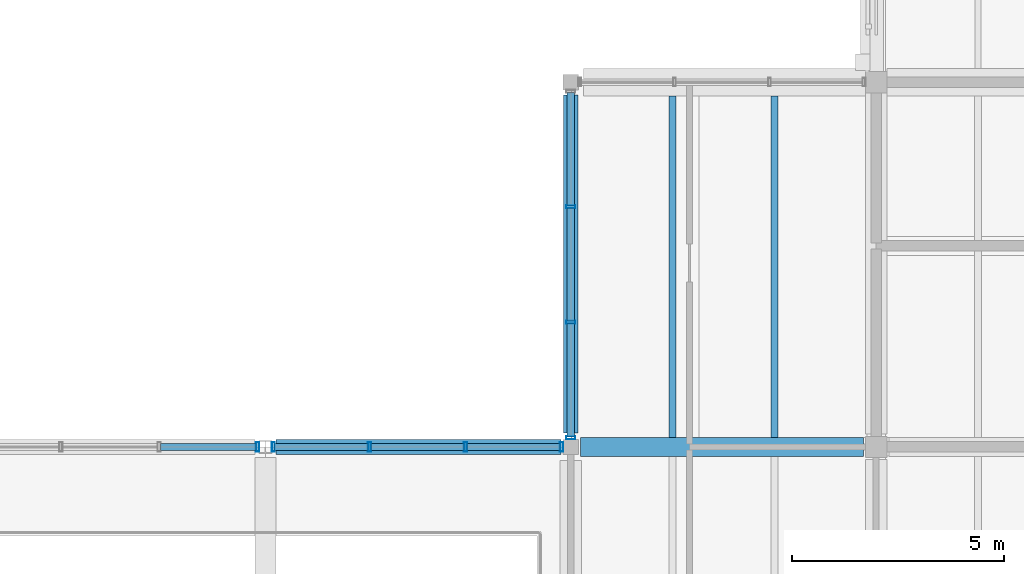
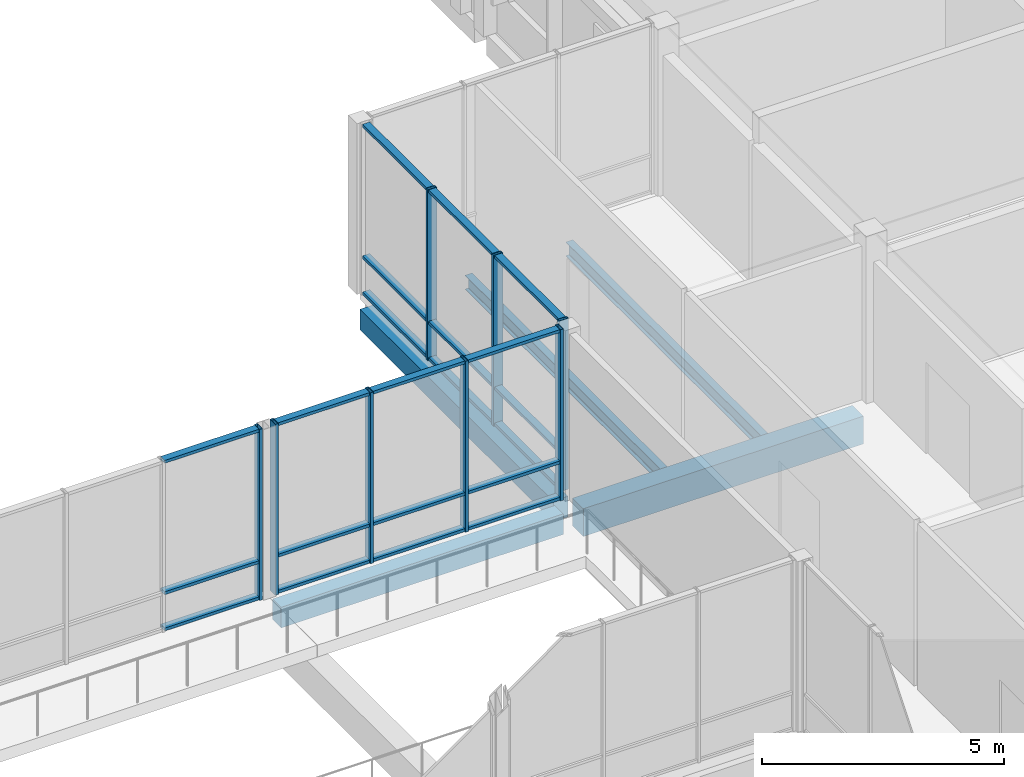
# One storey, part 79 of 146: 29 members, 5 beams, 3 elements without a shape of their own.
"""IFC4 building model written with IfcOpenShell, lengths in metres."""

from ifc_helpers import new_model, si_unit, direction, frame, origin, origin_2d, place, context, subcontext, project, spatial, rectangle, hollow_rectangle, i_section, extrude, material, material_profile, profile_set, type_object, element, aggregate, save


model = new_model("IFC4")

# Units and contexts
model_context = context("Model", 3, precision=1e-05, world=origin(), true_north=direction((0.0, 1.0)))
body_context = subcontext(model_context, "Body", "Model", "MODEL_VIEW")
ifc_project = project(units=[si_unit("LENGTHUNIT", "METRE"), si_unit("AREAUNIT", "SQUARE_METRE"), si_unit("VOLUMEUNIT", "CUBIC_METRE"), si_unit("PLANEANGLEUNIT", "RADIAN"), si_unit("MASSUNIT", "GRAM", prefix="KILO")], contexts=[model_context])

# Site, building, storey
site_placement = place(None, origin())
site = spatial("IfcSite", under=ifc_project, at=site_placement, CompositionType="ELEMENT")
building_placement = place(site_placement, origin())
building = spatial("IfcBuilding", under=site, at=building_placement, Name="Hawrajan Terrace Health Centre", CompositionType="ELEMENT")
storey_placement = place(building_placement, frame((0.0, 0.0, 4.5)))
storey = spatial("IfcBuildingStorey", under=building, at=storey_placement, Name="L01", CompositionType="ELEMENT", Elevation=4.5)

# Curtain wall, member
ifc_material_1 = material(Name="Anodized bronze aluminium and low-E solar glazing", Category="aluminium")
curtain_wall_type_1 = type_object("IfcCurtainWallType", Name="CW_Court_SeriesA2", PredefinedType="USERDEFINED", material=ifc_material_1)
curtain_wall_1_placement = place(storey_placement, origin())
curtain_wall_1 = element("IfcCurtainWall", 1, at=curtain_wall_1_placement, inside=storey, type_object=curtain_wall_type_1, Name="Curtain wall CW-L01-098", ObjectType="UNITISED CURTAIN WALL", PredefinedType="USERDEFINED")
ifc_material_2 = material(Name="Anodized bronze aluminium 6063-T6", Category="aluminium")
ifc_material_profile_1 = material_profile(ifc_material_2, hollow_rectangle(XDim=0.074951171875, YDim=0.219970703125, WallThickness=0.0048828125, at=origin_2d()), Name="CW MUL 75x220")
ifc_profile_set_1 = profile_set([ifc_material_profile_1], Name="Anodized bronze aluminium 6063-T6")
member_type_1 = type_object("IfcMemberType", Name="CWMullion_75x220", PredefinedType="MULLION", material=ifc_profile_set_1)
member_1_placement = place(storey_placement, frame((100.41259765625, 36.800048828125, -0.0048828125), z_axis=(0.0, 0.0, 1.0), x_axis=(1.0, 0.0, 0.0)))
member_1 = element("IfcMember", 2, at=member_1_placement, type_object=member_type_1, Name="Mullion CW-L01-098-M5", PredefinedType="MULLION", context=body_context, shape_type="SweptSolid", body=[
    extrude(hollow_rectangle(XDim=0.074951171875, YDim=0.219970703125, WallThickness=0.0048828125, at=origin_2d()), origin(), (0.0, 0.0, 1.0), 4.309814453125),
])

# Curtain wall, members
curtain_wall_type_2 = type_object("IfcCurtainWallType", Name="CW_Court_SeriesB2", PredefinedType="USERDEFINED", material=ifc_material_1)
curtain_wall_2_placement = place(storey_placement, origin())
curtain_wall_2 = element("IfcCurtainWall", 3, at=curtain_wall_2_placement, inside=storey, type_object=curtain_wall_type_2, Name="Curtain wall CW-L01-101", ObjectType="UNITISED CURTAIN WALL", PredefinedType="USERDEFINED")
member_2_placement = place(storey_placement, frame((100.78759765625, 36.800048828125, -0.0048828125), z_axis=(0.0, 0.0, 1.0), x_axis=(1.0, 0.0, 0.0)))
member_2 = element("IfcMember", 4, at=member_2_placement, type_object=member_type_1, Name="Mullion CW-L01-101-M1", PredefinedType="MULLION", context=body_context, shape_type="SweptSolid", body=[
    extrude(hollow_rectangle(XDim=0.074951171875, YDim=0.219970703125, WallThickness=0.0048828125, at=origin_2d()), origin(), (0.0, 0.0, 1.0), 4.309814453125),
])
member_3_placement = place(storey_placement, frame((103.052490234375, 36.800048828125, -0.0048828125), z_axis=(0.0, 0.0, 1.0), x_axis=(1.0, 0.0, 0.0)))
member_3 = element("IfcMember", 5, at=member_3_placement, type_object=member_type_1, Name="Mullion CW-L01-101-M2", PredefinedType="MULLION", context=body_context, shape_type="SweptSolid", body=[
    extrude(hollow_rectangle(XDim=0.074951171875, YDim=0.219970703125, WallThickness=0.0048828125, at=origin_2d()), origin(), (0.0, 0.0, 1.0), 4.309814453125),
])
member_4_placement = place(storey_placement, frame((105.3173828125, 36.800048828125, -0.0048828125), z_axis=(0.0, 0.0, 1.0), x_axis=(1.0, 0.0, 0.0)))
member_4 = element("IfcMember", 6, at=member_4_placement, type_object=member_type_1, Name="Mullion CW-L01-101-M3", PredefinedType="MULLION", context=body_context, shape_type="SweptSolid", body=[
    extrude(hollow_rectangle(XDim=0.074951171875, YDim=0.219970703125, WallThickness=0.0048828125, at=origin_2d()), origin(), (0.0, 0.0, 1.0), 4.309814453125),
])
member_5_placement = place(storey_placement, frame((107.58251953125, 36.800048828125, -0.0048828125), z_axis=(0.0, 0.0, 1.0), x_axis=(1.0, 0.0, 0.0)))
member_5 = element("IfcMember", 7, at=member_5_placement, type_object=member_type_1, Name="Mullion CW-L01-101-M4", PredefinedType="MULLION", context=body_context, shape_type="SweptSolid", body=[
    extrude(hollow_rectangle(XDim=0.074951171875, YDim=0.219970703125, WallThickness=0.0048828125, at=origin_2d()), origin(), (0.0, 0.0, 1.0), 4.309814453125),
])

curtain_wall_type_3 = type_object("IfcCurtainWallType", Name="CW_CourtNS_SeriesC2", PredefinedType="USERDEFINED", material=ifc_material_1)
curtain_wall_3_placement = place(storey_placement, origin())
curtain_wall_3 = element("IfcCurtainWall", 8, at=curtain_wall_3_placement, inside=storey, type_object=curtain_wall_type_3, Name="Curtain wall CW-L01-104", ObjectType="UNITISED CURTAIN WALL", PredefinedType="USERDEFINED")
member_6_placement = place(storey_placement, frame((107.800048828125, 37.017578125, -0.0048828125), z_axis=(0.0, 0.0, 1.0), x_axis=(0.0, 1.0, 0.0)))
member_6 = element("IfcMember", 9, at=member_6_placement, type_object=member_type_1, Name="Mullion CW-L01-104-M1", PredefinedType="MULLION", context=body_context, shape_type="SweptSolid", body=[
    extrude(hollow_rectangle(XDim=0.074951171875, YDim=0.219970703125, WallThickness=0.0048828125, at=origin_2d()), origin(), (0.0, 0.0, 1.0), 4.309814453125),
])
member_7_placement = place(storey_placement, frame((107.800048828125, 39.7392578125, -0.0048828125), z_axis=(0.0, 0.0, 1.0), x_axis=(0.0, 1.0, 0.0)))
member_7 = element("IfcMember", 10, at=member_7_placement, type_object=member_type_1, Name="Mullion CW-L01-104-M2", PredefinedType="MULLION", context=body_context, shape_type="SweptSolid", body=[
    extrude(hollow_rectangle(XDim=0.074951171875, YDim=0.219970703125, WallThickness=0.0048828125, at=origin_2d()), origin(), (0.0, 0.0, 1.0), 4.309814453125),
])
member_8_placement = place(storey_placement, frame((107.800048828125, 42.460693359375, -0.0048828125), z_axis=(0.0, 0.0, 1.0), x_axis=(0.0, 1.0, 0.0)))
member_8 = element("IfcMember", 11, at=member_8_placement, type_object=member_type_1, Name="Mullion CW-L01-104-M3", PredefinedType="MULLION", context=body_context, shape_type="SweptSolid", body=[
    extrude(hollow_rectangle(XDim=0.074951171875, YDim=0.219970703125, WallThickness=0.0048828125, at=origin_2d()), origin(), (0.0, 0.0, 1.0), 4.309814453125),
])

# Member
ifc_material_profile_2 = material_profile(ifc_material_2, hollow_rectangle(XDim=0.074951171875, YDim=0.169921875, WallThickness=0.00439453125, at=origin_2d()), Name="CW TRN 75x170")
ifc_profile_set_2 = profile_set([ifc_material_profile_2], Name="Anodized bronze aluminium 6063-T6")
member_type_2 = type_object("IfcMemberType", Name="CWTransom_75x170", PredefinedType="USERDEFINED", material=ifc_profile_set_2)
member_9_placement = place(storey_placement, frame((98.127685546875, 36.800048828125, 0.03759765625), z_axis=(1.0, 0.0, 0.0), x_axis=(0.0, 0.0, 1.0)))
member_9 = element("IfcMember", 12, at=member_9_placement, type_object=member_type_2, Name="Transom CW-L01-098-T4-1", ObjectType="TRANSOM", PredefinedType="USERDEFINED", context=body_context, shape_type="SweptSolid", body=[
    extrude(hollow_rectangle(XDim=0.074951171875, YDim=0.169921875, WallThickness=0.00439453125, at=origin_2d()), origin(), (0.0, 0.0, 1.0), 2.25341796875),
])

member_10_placement = place(storey_placement, frame((98.127685546875, 36.800048828125, 0.949951171875), z_axis=(1.0, 0.0, 0.0), x_axis=(0.0, 0.0, 1.0)))
member_10 = element("IfcMember", 13, at=member_10_placement, type_object=member_type_2, Name="Transom CW-L01-098-T4-2", ObjectType="TRANSOM", PredefinedType="USERDEFINED", context=body_context, shape_type="SweptSolid", body=[
    extrude(hollow_rectangle(XDim=0.074951171875, YDim=0.169921875, WallThickness=0.00439453125, at=origin_2d()), origin(), (0.0, 0.0, 1.0), 2.25341796875),
])

member_11_placement = place(storey_placement, frame((98.127685546875, 36.800048828125, 4.262451171875), z_axis=(1.0, 0.0, 0.0), x_axis=(0.0, 0.0, 1.0)))
member_11 = element("IfcMember", 14, at=member_11_placement, type_object=member_type_2, Name="Transom CW-L01-098-T4-3", ObjectType="TRANSOM", PredefinedType="USERDEFINED", context=body_context, shape_type="SweptSolid", body=[
    extrude(hollow_rectangle(XDim=0.074951171875, YDim=0.169921875, WallThickness=0.00439453125, at=origin_2d()), origin(), (0.0, 0.0, 1.0), 2.25341796875),
])

aggregate(curtain_wall_1, [member_1, member_9, member_10, member_11])

member_12_placement = place(storey_placement, frame((100.819091796875, 36.800048828125, 0.03759765625), z_axis=(1.0, 0.0, 0.0), x_axis=(0.0, 0.0, 1.0)))
member_12 = element("IfcMember", 15, at=member_12_placement, type_object=member_type_2, Name="Transom CW-L01-101-T1-1", ObjectType="TRANSOM", PredefinedType="USERDEFINED", context=body_context, shape_type="SweptSolid", body=[
    extrude(hollow_rectangle(XDim=0.074951171875, YDim=0.169921875, WallThickness=0.00439453125, at=origin_2d()), origin(), (0.0, 0.0, 1.0), 2.201904296875),
])

member_13_placement = place(storey_placement, frame((100.819091796875, 36.800048828125, 0.949951171875), z_axis=(1.0, 0.0, 0.0), x_axis=(0.0, 0.0, 1.0)))
member_13 = element("IfcMember", 16, at=member_13_placement, type_object=member_type_2, Name="Transom CW-L01-101-T1-2", ObjectType="TRANSOM", PredefinedType="USERDEFINED", context=body_context, shape_type="SweptSolid", body=[
    extrude(hollow_rectangle(XDim=0.074951171875, YDim=0.169921875, WallThickness=0.00439453125, at=origin_2d()), origin(), (0.0, 0.0, 1.0), 2.201904296875),
])

member_14_placement = place(storey_placement, frame((100.819091796875, 36.800048828125, 4.262451171875), z_axis=(1.0, 0.0, 0.0), x_axis=(0.0, 0.0, 1.0)))
member_14 = element("IfcMember", 17, at=member_14_placement, type_object=member_type_2, Name="Transom CW-L01-101-T1-3", ObjectType="TRANSOM", PredefinedType="USERDEFINED", context=body_context, shape_type="SweptSolid", body=[
    extrude(hollow_rectangle(XDim=0.074951171875, YDim=0.169921875, WallThickness=0.00439453125, at=origin_2d()), origin(), (0.0, 0.0, 1.0), 2.201904296875),
])

member_15_placement = place(storey_placement, frame((103.083984375, 36.800048828125, 0.03759765625), z_axis=(1.0, 0.0, 0.0), x_axis=(0.0, 0.0, 1.0)))
member_15 = element("IfcMember", 18, at=member_15_placement, type_object=member_type_2, Name="Transom CW-L01-101-T2-1", ObjectType="TRANSOM", PredefinedType="USERDEFINED", context=body_context, shape_type="SweptSolid", body=[
    extrude(hollow_rectangle(XDim=0.074951171875, YDim=0.169921875, WallThickness=0.00439453125, at=origin_2d()), origin(), (0.0, 0.0, 1.0), 2.201904296875),
])

member_16_placement = place(storey_placement, frame((103.083984375, 36.800048828125, 0.949951171875), z_axis=(1.0, 0.0, 0.0), x_axis=(0.0, 0.0, 1.0)))
member_16 = element("IfcMember", 19, at=member_16_placement, type_object=member_type_2, Name="Transom CW-L01-101-T2-2", ObjectType="TRANSOM", PredefinedType="USERDEFINED", context=body_context, shape_type="SweptSolid", body=[
    extrude(hollow_rectangle(XDim=0.074951171875, YDim=0.169921875, WallThickness=0.00439453125, at=origin_2d()), origin(), (0.0, 0.0, 1.0), 2.201904296875),
])

member_17_placement = place(storey_placement, frame((103.083984375, 36.800048828125, 4.262451171875), z_axis=(1.0, 0.0, 0.0), x_axis=(0.0, 0.0, 1.0)))
member_17 = element("IfcMember", 20, at=member_17_placement, type_object=member_type_2, Name="Transom CW-L01-101-T2-3", ObjectType="TRANSOM", PredefinedType="USERDEFINED", context=body_context, shape_type="SweptSolid", body=[
    extrude(hollow_rectangle(XDim=0.074951171875, YDim=0.169921875, WallThickness=0.00439453125, at=origin_2d()), origin(), (0.0, 0.0, 1.0), 2.201904296875),
])

member_18_placement = place(storey_placement, frame((105.34912109375, 36.800048828125, 0.03759765625), z_axis=(1.0, 0.0, 0.0), x_axis=(0.0, 0.0, 1.0)))
member_18 = element("IfcMember", 21, at=member_18_placement, type_object=member_type_2, Name="Transom CW-L01-101-T3-1", ObjectType="TRANSOM", PredefinedType="USERDEFINED", context=body_context, shape_type="SweptSolid", body=[
    extrude(hollow_rectangle(XDim=0.074951171875, YDim=0.169921875, WallThickness=0.00439453125, at=origin_2d()), origin(), (0.0, 0.0, 1.0), 2.201904296875),
])

member_19_placement = place(storey_placement, frame((105.34912109375, 36.800048828125, 0.949951171875), z_axis=(1.0, 0.0, 0.0), x_axis=(0.0, 0.0, 1.0)))
member_19 = element("IfcMember", 22, at=member_19_placement, type_object=member_type_2, Name="Transom CW-L01-101-T3-2", ObjectType="TRANSOM", PredefinedType="USERDEFINED", context=body_context, shape_type="SweptSolid", body=[
    extrude(hollow_rectangle(XDim=0.074951171875, YDim=0.169921875, WallThickness=0.00439453125, at=origin_2d()), origin(), (0.0, 0.0, 1.0), 2.201904296875),
])

member_20_placement = place(storey_placement, frame((105.34912109375, 36.800048828125, 4.262451171875), z_axis=(1.0, 0.0, 0.0), x_axis=(0.0, 0.0, 1.0)))
member_20 = element("IfcMember", 23, at=member_20_placement, type_object=member_type_2, Name="Transom CW-L01-101-T3-3", ObjectType="TRANSOM", PredefinedType="USERDEFINED", context=body_context, shape_type="SweptSolid", body=[
    extrude(hollow_rectangle(XDim=0.074951171875, YDim=0.169921875, WallThickness=0.00439453125, at=origin_2d()), origin(), (0.0, 0.0, 1.0), 2.201904296875),
])

aggregate(curtain_wall_2, [member_2, member_3, member_4, member_5, member_12, member_13, member_14, member_15, member_16, member_17, member_18, member_19, member_20])

member_21_placement = place(storey_placement, frame((107.800048828125, 37.049072265625, 0.03759765625), z_axis=(0.0, 1.0, 0.0), x_axis=(0.0, 0.0, 1.0)))
member_21 = element("IfcMember", 24, at=member_21_placement, type_object=member_type_2, Name="Transom CW-L01-104-T1-1", ObjectType="TRANSOM", PredefinedType="USERDEFINED", context=body_context, shape_type="SweptSolid", body=[
    extrude(hollow_rectangle(XDim=0.074951171875, YDim=0.169921875, WallThickness=0.00439453125, at=origin_2d()), origin(), (0.0, 0.0, 1.0), 2.65869140625),
])

member_22_placement = place(storey_placement, frame((107.800048828125, 37.049072265625, 0.949951171875), z_axis=(0.0, 1.0, 0.0), x_axis=(0.0, 0.0, 1.0)))
member_22 = element("IfcMember", 25, at=member_22_placement, type_object=member_type_2, Name="Transom CW-L01-104-T1-2", ObjectType="TRANSOM", PredefinedType="USERDEFINED", context=body_context, shape_type="SweptSolid", body=[
    extrude(hollow_rectangle(XDim=0.074951171875, YDim=0.169921875, WallThickness=0.00439453125, at=origin_2d()), origin(), (0.0, 0.0, 1.0), 2.65869140625),
])

member_23_placement = place(storey_placement, frame((107.800048828125, 37.049072265625, 4.262451171875), z_axis=(0.0, 1.0, 0.0), x_axis=(0.0, 0.0, 1.0)))
member_23 = element("IfcMember", 26, at=member_23_placement, type_object=member_type_2, Name="Transom CW-L01-104-T1-3", ObjectType="TRANSOM", PredefinedType="USERDEFINED", context=body_context, shape_type="SweptSolid", body=[
    extrude(hollow_rectangle(XDim=0.074951171875, YDim=0.169921875, WallThickness=0.00439453125, at=origin_2d()), origin(), (0.0, 0.0, 1.0), 2.65869140625),
])

member_24_placement = place(storey_placement, frame((107.800048828125, 39.770751953125, 0.03759765625), z_axis=(0.0, 1.0, 0.0), x_axis=(0.0, 0.0, 1.0)))
member_24 = element("IfcMember", 27, at=member_24_placement, type_object=member_type_2, Name="Transom CW-L01-104-T2-1", ObjectType="TRANSOM", PredefinedType="USERDEFINED", context=body_context, shape_type="SweptSolid", body=[
    extrude(hollow_rectangle(XDim=0.074951171875, YDim=0.169921875, WallThickness=0.00439453125, at=origin_2d()), origin(), (0.0, 0.0, 1.0), 2.658447265625),
])

member_25_placement = place(storey_placement, frame((107.800048828125, 39.770751953125, 0.949951171875), z_axis=(0.0, 1.0, 0.0), x_axis=(0.0, 0.0, 1.0)))
member_25 = element("IfcMember", 28, at=member_25_placement, type_object=member_type_2, Name="Transom CW-L01-104-T2-2", ObjectType="TRANSOM", PredefinedType="USERDEFINED", context=body_context, shape_type="SweptSolid", body=[
    extrude(hollow_rectangle(XDim=0.074951171875, YDim=0.169921875, WallThickness=0.00439453125, at=origin_2d()), origin(), (0.0, 0.0, 1.0), 2.658447265625),
])

member_26_placement = place(storey_placement, frame((107.800048828125, 39.770751953125, 4.262451171875), z_axis=(0.0, 1.0, 0.0), x_axis=(0.0, 0.0, 1.0)))
member_26 = element("IfcMember", 29, at=member_26_placement, type_object=member_type_2, Name="Transom CW-L01-104-T2-3", ObjectType="TRANSOM", PredefinedType="USERDEFINED", context=body_context, shape_type="SweptSolid", body=[
    extrude(hollow_rectangle(XDim=0.074951171875, YDim=0.169921875, WallThickness=0.00439453125, at=origin_2d()), origin(), (0.0, 0.0, 1.0), 2.658447265625),
])

member_27_placement = place(storey_placement, frame((107.800048828125, 42.4921875, 0.03759765625), z_axis=(0.0, 1.0, 0.0), x_axis=(0.0, 0.0, 1.0)))
member_27 = element("IfcMember", 30, at=member_27_placement, type_object=member_type_2, Name="Transom CW-L01-104-T3-1", ObjectType="TRANSOM", PredefinedType="USERDEFINED", context=body_context, shape_type="SweptSolid", body=[
    extrude(hollow_rectangle(XDim=0.074951171875, YDim=0.169921875, WallThickness=0.00439453125, at=origin_2d()), origin(), (0.0, 0.0, 1.0), 2.65869140625),
])

member_28_placement = place(storey_placement, frame((107.800048828125, 42.4921875, 0.949951171875), z_axis=(0.0, 1.0, 0.0), x_axis=(0.0, 0.0, 1.0)))
member_28 = element("IfcMember", 31, at=member_28_placement, type_object=member_type_2, Name="Transom CW-L01-104-T3-2", ObjectType="TRANSOM", PredefinedType="USERDEFINED", context=body_context, shape_type="SweptSolid", body=[
    extrude(hollow_rectangle(XDim=0.074951171875, YDim=0.169921875, WallThickness=0.00439453125, at=origin_2d()), origin(), (0.0, 0.0, 1.0), 2.65869140625),
])

member_29_placement = place(storey_placement, frame((107.800048828125, 42.4921875, 4.262451171875), z_axis=(0.0, 1.0, 0.0), x_axis=(0.0, 0.0, 1.0)))
member_29 = element("IfcMember", 32, at=member_29_placement, type_object=member_type_2, Name="Transom CW-L01-104-T3-3", ObjectType="TRANSOM", PredefinedType="USERDEFINED", context=body_context, shape_type="SweptSolid", body=[
    extrude(hollow_rectangle(XDim=0.074951171875, YDim=0.169921875, WallThickness=0.00439453125, at=origin_2d()), origin(), (0.0, 0.0, 1.0), 2.65869140625),
])

aggregate(curtain_wall_3, [member_6, member_7, member_8, member_21, member_22, member_23, member_24, member_25, member_26, member_27, member_28, member_29])

# Beams
ifc_material_3 = material(Name="Concrete C40/50", Category="concrete")
ifc_material_profile_3 = material_profile(ifc_material_3, rectangle(XDim=0.449951171875, YDim=0.699951171875, at=origin_2d()), Name="RC BM 450x700")
ifc_profile_set_3 = profile_set([ifc_material_profile_3], Name="Concrete C40/50")
beam_type_1 = type_object("IfcBeamType", Name="RCGirder_450x700", PredefinedType="BEAM", material=ifc_profile_set_3)
beam_1_placement = place(storey_placement, frame((108.02490234375, 36.800048828125, -0.64990234375), z_axis=(1.0, 0.0, 0.0), x_axis=(0.0, 1.0, 0.0)))
element("IfcBeam", 33, at=beam_1_placement, inside=storey, type_object=beam_type_1, Name="Beam BM-X-L01-C-14-Y5", PredefinedType="BEAM", context=body_context, shape_type="SweptSolid", body=[
    extrude(rectangle(XDim=0.449951171875, YDim=0.699951171875, at=origin_2d()), origin(), (0.0, 0.0, 1.0), 6.675048828125),
])
ifc_material_profile_4 = material_profile(ifc_material_3, rectangle(XDim=0.35009765625, YDim=0.52001953125, at=origin_2d()), Name="RC SP 350x520")
ifc_profile_set_4 = profile_set([ifc_material_profile_4], Name="Concrete C40/50")
beam_type_2 = type_object("IfcBeamType", Name="RCSpandrel_350x520", PredefinedType="SPANDREL", material=ifc_profile_set_4)
beam_2_placement = place(storey_placement, frame((100.85009765625, 36.800048828125, -0.56005859375), z_axis=(1.0, 0.0, 0.0), x_axis=(0.0, 1.0, 0.0)))
element("IfcBeam", 34, at=beam_2_placement, inside=storey, type_object=beam_type_2, Name="Beam BM-X-L01-C-13-Y5", PredefinedType="SPANDREL", context=body_context, shape_type="SweptSolid", body=[
    extrude(rectangle(XDim=0.35009765625, YDim=0.52001953125, at=origin_2d()), origin(), (0.0, 0.0, 1.0), 6.724853515625),
])
beam_3_placement = place(storey_placement, frame((107.800048828125, 37.125, -0.56005859375), z_axis=(0.0, 1.0, 0.0), x_axis=(-1.0, 0.0, 0.0)))
element("IfcBeam", 35, at=beam_3_placement, inside=storey, type_object=beam_type_2, Name="Beam BM-Y-L01-C-X14-5", PredefinedType="SPANDREL", context=body_context, shape_type="SweptSolid", body=[
    extrude(rectangle(XDim=0.35009765625, YDim=0.52001953125, at=origin_2d()), origin(), (0.0, 0.0, 1.0), 7.97509765625),
])
ifc_material_4 = material(Name="Steel S355", Category="steel")
ifc_material_profile_5 = material_profile(ifc_material_4, i_section(OverallWidth=0.169921875, OverallDepth=0.360107421875, WebThickness=0.008056640625, FlangeThickness=0.0126953125, FilletRadius=0.01806640625, at=origin_2d()), Name="IPE 360")
ifc_profile_set_5 = profile_set([ifc_material_profile_5], Name="Steel S355")
beam_type_3 = type_object("IfcBeamType", Name="SteelBeam_IPE360", PredefinedType="BEAM", material=ifc_profile_set_5)
for number, where, z_axis, x_axis, name in (
    (36, (110.199951171875, 37.02490234375, -0.47998046875), (0.0, 1.0, 0.0), (-1.0, 0.0, 0.0), "Secondary joist JST-L01-C-14-5-1"),
    (37, (112.60009765625, 37.02490234375, -0.47998046875), (0.0, 1.0, 0.0), (-1.0, 0.0, 0.0), "Secondary joist JST-L01-C-14-5-2"),
):
    element("IfcBeam", number, at=place(storey_placement, frame(where, z_axis=z_axis, x_axis=x_axis)), inside=storey, type_object=beam_type_3, Name=name, PredefinedType="BEAM", context=body_context, shape_type="SweptSolid", body=[
        extrude(i_section(OverallWidth=0.169921875, OverallDepth=0.360107421875, WebThickness=0.008056640625, FlangeThickness=0.0126953125, FilletRadius=0.01806640625, at=origin_2d()), origin(), (0.0, 0.0, 1.0), 8.050048828125),
    ])

save(model, "model.ifc")
